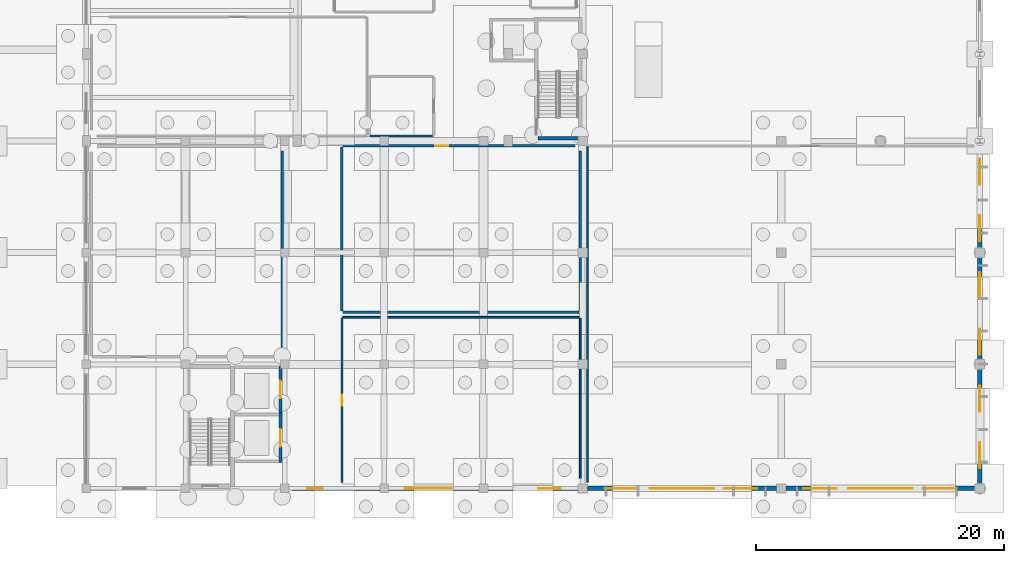
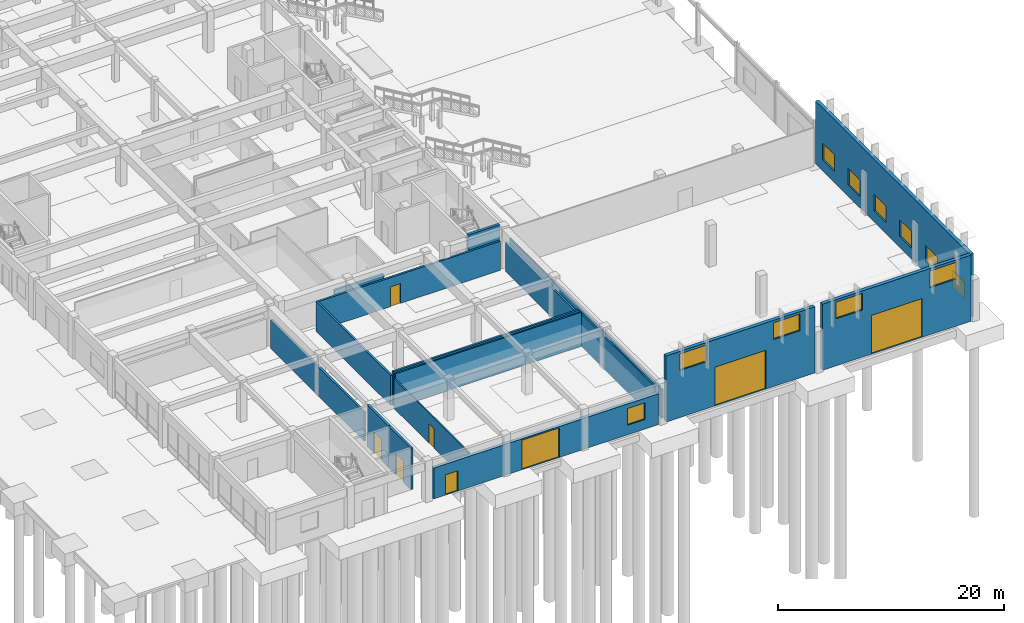
# One storey, part 60 of 84: 17 walls, 11 windows, 8 doors, 19 openings.
"""IFC4 building model written with IfcOpenShell, lengths in metres."""

from ifc_helpers import new_model, si_unit, direction, frame, frame_2d, origin, place, context, subcontext, project, spatial, rectangle, extrude, material, layer, layer_set, type_object, element, fill, save


model = new_model("IFC4")

# Units and contexts
model_context = context("Model", 3, precision=1e-05, world=origin(), true_north=direction((0.0, 1.0)))
body_context = subcontext(model_context, "Body", "Model", "MODEL_VIEW")
ifc_project = project(units=[si_unit("LENGTHUNIT", "METRE"), si_unit("AREAUNIT", "SQUARE_METRE"), si_unit("VOLUMEUNIT", "CUBIC_METRE"), si_unit("PLANEANGLEUNIT", "RADIAN"), si_unit("MASSUNIT", "GRAM", prefix="KILO")], contexts=[model_context])

# Site, building, storey
site_placement = place(None, origin())
site = spatial("IfcSite", under=ifc_project, at=site_placement, CompositionType="ELEMENT")
building_placement = place(site_placement, origin())
building = spatial("IfcBuilding", under=site, at=building_placement, Name="Larkveld Mobility Hub", CompositionType="ELEMENT")
storey_placement = place(building_placement, origin())
storey = spatial("IfcBuildingStorey", under=building, at=storey_placement, Name="L00", CompositionType="ELEMENT", Elevation=0.0)

# Wall
ifc_material_1 = material(Name="Concrete C40/50", Category="concrete")
ifc_layer_1 = layer(ifc_material_1, 0.280029296875, Name="Concrete C40/50", Category="concrete")
ifc_layer_set_1 = layer_set([ifc_layer_1], Name="Concrete C40/50")
wall_type_1 = type_object("IfcWallType", Name="WL-CORE-280", PredefinedType="SHEAR", material=ifc_layer_set_1)
wall_1_placement = place(storey_placement, frame((151.64990234375, 28.2099609375, 0.0), z_axis=(0.0, 0.0, 1.0), x_axis=(-1.0, 0.0, 0.0)))
element("IfcWall", 1, at=wall_1_placement, inside=storey, type_object=wall_type_1, Name="Core C1 Stair Shear Wall L00-S", PredefinedType="SHEAR", context=body_context, shape_type="SweptSolid", body=[
    extrude(rectangle(XDim=3.25, YDim=0.280029296875, at=frame_2d((1.625, 0.0))), origin(), (0.0, 0.0, 1.0), 4.5),
])

# Wall, openings, doors, window
ifc_layer_2 = layer(ifc_material_1, 0.330078125, Name="Concrete C40/50", Category="concrete")
ifc_layer_set_2 = layer_set([ifc_layer_2], Name="Concrete C40/50")
wall_type_2 = type_object("IfcWallType", Name="WL-EXT-330", PredefinedType="SOLIDWALL", material=ifc_layer_set_2)
wall_2_placement = place(storey_placement, frame((128.590087890625, 0.0, 0.0), z_axis=(0.0, 0.0, 1.0), x_axis=(1.0, 0.0, 0.0)))
wall_2 = element("IfcWall", 2, at=wall_2_placement, inside=storey, type_object=wall_type_2, Name="Service Centre South Harbourway Wall L00-0204", PredefinedType="SOLIDWALL", context=body_context, shape_type="SweptSolid", body=[
    extrude(rectangle(XDim=23.02490234375, YDim=0.330078125, at=frame_2d((11.512451171875, 0.0))), origin(), (0.0, 0.0, 1.0), 3.344970703125),
])
opening_1_placement = place(wall_2_placement, frame((1.217041015625, 0.0, 0.0)))
opening_1 = element("IfcOpeningElement", 3, at=opening_1_placement, cuts=wall_2, Name="Opening ED08", PredefinedType="OPENING", context=body_context, shape_type="SweptSolid", body=[
    extrude(rectangle(XDim=1.25, YDim=2.199951171875, at=frame_2d((0.625, 1.10009765625))), frame((0.0, 0.175048828125, 0.0), z_axis=(0.0, -1.0, 0.0), x_axis=(1.0, 0.0, 0.0)), (0.0, 0.0, 1.0), 0.35009765625),
])
opening_2_placement = place(wall_2_placement, frame((9.054931640625, 0.0, 0.0)))
opening_2 = element("IfcOpeningElement", 4, at=opening_2_placement, cuts=wall_2, Name="Opening VG01", PredefinedType="OPENING", context=body_context, shape_type="SweptSolid", body=[
    extrude(rectangle(XDim=3.800048828125, YDim=3.199951171875, at=frame_2d((1.89990234375, 1.60009765625))), frame((0.0, 0.175048828125, 0.0), z_axis=(0.0, -1.0, 0.0), x_axis=(1.0, 0.0, 0.0)), (0.0, 0.0, 1.0), 0.35009765625),
])
opening_3_placement = place(wall_2_placement, frame((19.822998046875, 0.0, 1.050048828125)))
opening_3 = element("IfcOpeningElement", 5, at=opening_3_placement, cuts=wall_2, Name="Opening W12", PredefinedType="OPENING", context=body_context, shape_type="SweptSolid", body=[
    extrude(rectangle(XDim=1.800048828125, YDim=1.800048828125, at=frame_2d((0.89990234375, 0.89990234375))), frame((0.0, 0.175048828125, 0.0), z_axis=(0.0, -1.0, 0.0), x_axis=(1.0, 0.0, 0.0)), (0.0, 0.0, 1.0), 0.35009765625),
])
ifc_material_2 = material(Name="Galvanised steel final exit door", Category="steel")
door_type_1 = type_object("IfcDoorType", Name="DR-EXT-ESC12", OperationType="NOTDEFINED", PredefinedType="DOOR", material=ifc_material_2)
door_1_placement = place(opening_1_placement, origin())
door_1 = element("IfcDoor", 6, at=door_1_placement, inside=storey, type_object=door_type_1, Name="Workshop Goods Lobby Exit Door EDR-L00-019", OperationType="SINGLE_SWING_LEFT", OverallHeight=2.199951171875, OverallWidth=1.25, PredefinedType="DOOR", context=body_context, shape_type="SweptSolid", body=[
    extrude(rectangle(XDim=1.25, YDim=2.199951171875, at=frame_2d((0.625, 1.10009765625))), frame((0.0, 0.02490234375, 0.0), z_axis=(0.0, -1.0, 0.0), x_axis=(1.0, 0.0, 0.0)), (0.0, 0.0, 1.0), 0.050048828125),
])
fill(opening_1, door_1)
ifc_material_3 = material(Name="Perforated galvanised steel roller shutter gate", Category="steel")
door_type_2 = type_object("IfcDoorType", Name="DR-GATE-VG38", OperationType="ROLLINGUP", PredefinedType="GATE", material=ifc_material_3)
door_2_placement = place(opening_2_placement, origin())
door_2 = element("IfcDoor", 7, at=door_2_placement, inside=storey, type_object=door_type_2, Name="Bus Wash Entry Roller Gate VG-02 EDR-L00-020", OperationType="ROLLINGUP", OverallHeight=3.199951171875, OverallWidth=3.800048828125, PredefinedType="GATE", context=body_context, shape_type="SweptSolid", body=[
    extrude(rectangle(XDim=3.800048828125, YDim=3.199951171875, at=frame_2d((1.89990234375, 1.60009765625))), frame((0.0, 0.02490234375, 0.0), z_axis=(0.0, -1.0, 0.0), x_axis=(1.0, 0.0, 0.0)), (0.0, 0.0, 1.0), 0.050048828125),
])
fill(opening_2, door_2)
ifc_material_4 = material(Name="Low-E double glazing in aluminium frame", Category="aluminium")
window_type_1 = type_object("IfcWindowType", Name="WN-ALU-12", PartitioningType="SINGLE_PANEL", PredefinedType="WINDOW", material=ifc_material_4)
window_1_placement = place(opening_3_placement, origin())
window_1 = element("IfcWindow", 8, at=window_1_placement, inside=storey, type_object=window_type_1, Name="Window W12 (0989)", OverallHeight=1.800048828125, OverallWidth=1.800048828125, PartitioningType="SINGLE_PANEL", PredefinedType="WINDOW", context=body_context, shape_type="SweptSolid", body=[
    extrude(rectangle(XDim=1.800048828125, YDim=1.800048828125, at=frame_2d((0.89990234375, 0.89990234375))), frame((0.0, 0.030029296875, 0.0), z_axis=(0.0, -1.0, 0.0), x_axis=(1.0, 0.0, 0.0)), (0.0, 0.0, 1.0), 0.06005859375),
])
fill(opening_3, window_1)

# Wall, openings, door, windows
ifc_layer_3 = layer(ifc_material_1, 0.35498046875, Name="Concrete C40/50", Category="concrete")
ifc_layer_set_3 = layer_set([ifc_layer_3], Name="Concrete C40/50")
wall_type_3 = type_object("IfcWallType", Name="WL-EXT-355", PredefinedType="SOLIDWALL", material=ifc_layer_set_3)
wall_3_placement = place(storey_placement, frame((152.385009765625, 0.0, 0.0), z_axis=(0.0, 0.0, 1.0), x_axis=(1.0, 0.0, 0.0)))
wall_3 = element("IfcWall", 9, at=wall_3_placement, inside=storey, type_object=wall_type_3, Name="High-Bay Fleet Workshop South Wall L00-0205", PredefinedType="SOLIDWALL", context=body_context, shape_type="SweptSolid", body=[
    extrude(rectangle(XDim=15.22998046875, YDim=0.35498046875, at=frame_2d((7.614990234375, 0.0))), origin(), (0.0, 0.0, 1.0), 7.1650390625),
])
opening_4_placement = place(wall_3_placement, frame((5.014892578125, 0.0, 0.0)))
opening_4 = element("IfcOpeningElement", 10, at=opening_4_placement, cuts=wall_3, Name="Opening VG03", PredefinedType="OPENING", context=body_context, shape_type="SweptSolid", body=[
    extrude(rectangle(XDim=5.199951171875, YDim=4.199951171875, at=frame_2d((2.60009765625, 2.10009765625))), frame((0.0, 0.1875, 0.0), z_axis=(0.0, -1.0, 0.0), x_axis=(1.0, 0.0, 0.0)), (0.0, 0.0, 1.0), 0.375),
])
opening_5_placement = place(wall_3_placement, frame((1.39990234375, 0.0, 5.10009765625)))
opening_5 = element("IfcOpeningElement", 11, at=opening_5_placement, cuts=wall_3, Name="Opening W15", PredefinedType="OPENING", context=body_context, shape_type="SweptSolid", body=[
    extrude(rectangle(XDim=2.699951171875, YDim=1.800048828125, at=frame_2d((1.35009765625, 0.89990234375))), frame((0.0, 0.1875, 0.0), z_axis=(0.0, -1.0, 0.0), x_axis=(1.0, 0.0, 0.0)), (0.0, 0.0, 1.0), 0.375),
])
opening_6_placement = place(wall_3_placement, frame((11.0, 0.0, 5.10009765625)))
opening_6 = element("IfcOpeningElement", 12, at=opening_6_placement, cuts=wall_3, Name="Opening W15", PredefinedType="OPENING", context=body_context, shape_type="SweptSolid", body=[
    extrude(rectangle(XDim=2.699951171875, YDim=1.800048828125, at=frame_2d((1.35009765625, 0.89990234375))), frame((0.0, 0.1875, 0.0), z_axis=(0.0, -1.0, 0.0), x_axis=(1.0, 0.0, 0.0)), (0.0, 0.0, 1.0), 0.375),
])
ifc_material_5 = material(Name="High-bay bus maintenance roller shutter gate", Category="steel")
door_type_3 = type_object("IfcDoorType", Name="DR-GATE-VG52", OperationType="ROLLINGUP", PredefinedType="GATE", material=ifc_material_5)
door_3_placement = place(opening_4_placement, origin())
door_3 = element("IfcDoor", 13, at=door_3_placement, inside=storey, type_object=door_type_3, Name="Fleet Workshop Maintenance Bay Gate EDR-L00-021", OperationType="ROLLINGUP", OverallHeight=4.199951171875, OverallWidth=5.199951171875, PredefinedType="GATE", context=body_context, shape_type="SweptSolid", body=[
    extrude(rectangle(XDim=5.199951171875, YDim=4.199951171875, at=frame_2d((2.60009765625, 2.10009765625))), frame((0.0, 0.02490234375, 0.0), z_axis=(0.0, -1.0, 0.0), x_axis=(1.0, 0.0, 0.0)), (0.0, 0.0, 1.0), 0.050048828125),
])
fill(opening_4, door_3)
window_type_2 = type_object("IfcWindowType", Name="WN-ALU-15", PartitioningType="SINGLE_PANEL", PredefinedType="WINDOW", material=ifc_material_4)
window_2_placement = place(opening_5_placement, origin())
window_2 = element("IfcWindow", 14, at=window_2_placement, inside=storey, type_object=window_type_2, Name="Window W15 (0990)", OverallHeight=1.800048828125, OverallWidth=2.699951171875, PartitioningType="SINGLE_PANEL", PredefinedType="WINDOW", context=body_context, shape_type="SweptSolid", body=[
    extrude(rectangle(XDim=2.699951171875, YDim=1.800048828125, at=frame_2d((1.35009765625, 0.89990234375))), frame((0.0, 0.030029296875, 0.0), z_axis=(0.0, -1.0, 0.0), x_axis=(1.0, 0.0, 0.0)), (0.0, 0.0, 1.0), 0.06005859375),
])
fill(opening_5, window_2)
window_3_placement = place(opening_6_placement, origin())
window_3 = element("IfcWindow", 15, at=window_3_placement, inside=storey, type_object=window_type_2, Name="Window W15 (0991)", OverallHeight=1.800048828125, OverallWidth=2.699951171875, PartitioningType="SINGLE_PANEL", PredefinedType="WINDOW", context=body_context, shape_type="SweptSolid", body=[
    extrude(rectangle(XDim=2.699951171875, YDim=1.800048828125, at=frame_2d((1.35009765625, 0.89990234375))), frame((0.0, 0.030029296875, 0.0), z_axis=(0.0, -1.0, 0.0), x_axis=(1.0, 0.0, 0.0)), (0.0, 0.0, 1.0), 0.06005859375),
])
fill(opening_6, window_3)

wall_4_placement = place(storey_placement, frame((168.385009765625, 0.0, 0.0), z_axis=(0.0, 0.0, 1.0), x_axis=(1.0, 0.0, 0.0)))
wall_4 = element("IfcWall", 16, at=wall_4_placement, inside=storey, type_object=wall_type_3, Name="High-Bay Fleet Workshop South Wall L00-0206", PredefinedType="SOLIDWALL", context=body_context, shape_type="SweptSolid", body=[
    extrude(rectangle(XDim=15.22998046875, YDim=0.35498046875, at=frame_2d((7.614990234375, 0.0))), origin(), (0.0, 0.0, 1.0), 7.1650390625),
])
opening_7_placement = place(wall_4_placement, frame((5.014892578125, 0.0, 0.0)))
opening_7 = element("IfcOpeningElement", 17, at=opening_7_placement, cuts=wall_4, Name="Opening VG03", PredefinedType="OPENING", context=body_context, shape_type="SweptSolid", body=[
    extrude(rectangle(XDim=5.199951171875, YDim=4.199951171875, at=frame_2d((2.60009765625, 2.10009765625))), frame((0.0, 0.1875, 0.0), z_axis=(0.0, -1.0, 0.0), x_axis=(1.0, 0.0, 0.0)), (0.0, 0.0, 1.0), 0.375),
])
opening_8_placement = place(wall_4_placement, frame((1.39990234375, 0.0, 5.10009765625)))
opening_8 = element("IfcOpeningElement", 18, at=opening_8_placement, cuts=wall_4, Name="Opening W15", PredefinedType="OPENING", context=body_context, shape_type="SweptSolid", body=[
    extrude(rectangle(XDim=2.699951171875, YDim=1.800048828125, at=frame_2d((1.35009765625, 0.89990234375))), frame((0.0, 0.1875, 0.0), z_axis=(0.0, -1.0, 0.0), x_axis=(1.0, 0.0, 0.0)), (0.0, 0.0, 1.0), 0.375),
])
opening_9_placement = place(wall_4_placement, frame((11.0, 0.0, 5.10009765625)))
opening_9 = element("IfcOpeningElement", 19, at=opening_9_placement, cuts=wall_4, Name="Opening W15", PredefinedType="OPENING", context=body_context, shape_type="SweptSolid", body=[
    extrude(rectangle(XDim=2.699951171875, YDim=1.800048828125, at=frame_2d((1.35009765625, 0.89990234375))), frame((0.0, 0.1875, 0.0), z_axis=(0.0, -1.0, 0.0), x_axis=(1.0, 0.0, 0.0)), (0.0, 0.0, 1.0), 0.375),
])
door_4_placement = place(opening_7_placement, origin())
door_4 = element("IfcDoor", 20, at=door_4_placement, inside=storey, type_object=door_type_3, Name="Fleet Workshop Maintenance Bay Gate EDR-L00-022", OperationType="ROLLINGUP", OverallHeight=4.199951171875, OverallWidth=5.199951171875, PredefinedType="GATE", context=body_context, shape_type="SweptSolid", body=[
    extrude(rectangle(XDim=5.199951171875, YDim=4.199951171875, at=frame_2d((2.60009765625, 2.10009765625))), frame((0.0, 0.02490234375, 0.0), z_axis=(0.0, -1.0, 0.0), x_axis=(1.0, 0.0, 0.0)), (0.0, 0.0, 1.0), 0.050048828125),
])
fill(opening_7, door_4)
window_4_placement = place(opening_8_placement, origin())
window_4 = element("IfcWindow", 21, at=window_4_placement, inside=storey, type_object=window_type_2, Name="Window W15 (0992)", OverallHeight=1.800048828125, OverallWidth=2.699951171875, PartitioningType="SINGLE_PANEL", PredefinedType="WINDOW", context=body_context, shape_type="SweptSolid", body=[
    extrude(rectangle(XDim=2.699951171875, YDim=1.800048828125, at=frame_2d((1.35009765625, 0.89990234375))), frame((0.0, 0.030029296875, 0.0), z_axis=(0.0, -1.0, 0.0), x_axis=(1.0, 0.0, 0.0)), (0.0, 0.0, 1.0), 0.06005859375),
])
fill(opening_8, window_4)
window_5_placement = place(opening_9_placement, origin())
window_5 = element("IfcWindow", 22, at=window_5_placement, inside=storey, type_object=window_type_2, Name="Window W15 (0993)", OverallHeight=1.800048828125, OverallWidth=2.699951171875, PartitioningType="SINGLE_PANEL", PredefinedType="WINDOW", context=body_context, shape_type="SweptSolid", body=[
    extrude(rectangle(XDim=2.699951171875, YDim=1.800048828125, at=frame_2d((1.35009765625, 0.89990234375))), frame((0.0, 0.030029296875, 0.0), z_axis=(0.0, -1.0, 0.0), x_axis=(1.0, 0.0, 0.0)), (0.0, 0.0, 1.0), 0.06005859375),
])
fill(opening_9, window_5)

# Wall, openings, windows
wall_5_placement = place(storey_placement, frame((184.0, 0.385009765625, 0.0), z_axis=(0.0, 0.0, 1.0), x_axis=(0.0, 1.0, 0.0)))
wall_5 = element("IfcWall", 23, at=wall_5_placement, inside=storey, type_object=wall_type_3, Name="High-Bay Fleet Workshop East Wall L00-0207", PredefinedType="SOLIDWALL", context=body_context, shape_type="SweptSolid", body=[
    extrude(rectangle(XDim=27.4189453125, YDim=0.35498046875, at=frame_2d((13.70947265625, 0.0))), origin(), (0.0, 0.0, 1.0), 6.794921875),
])
opening_10_placement = place(wall_5_placement, frame((1.235107421875, 0.0, 1.199951171875)))
opening_10 = element("IfcOpeningElement", 24, at=opening_10_placement, cuts=wall_5, Name="Opening W13", PredefinedType="OPENING", context=body_context, shape_type="SweptSolid", body=[
    extrude(rectangle(XDim=2.10009765625, YDim=1.800048828125, at=frame_2d((1.050048828125, 0.89990234375))), frame((0.0, 0.1875, 0.0), z_axis=(0.0, -1.0, 0.0), x_axis=(1.0, 0.0, 0.0)), (0.0, 0.0, 1.0), 0.375),
])
opening_11_placement = place(wall_5_placement, frame((5.804931640625, 0.0, 1.199951171875)))
opening_11 = element("IfcOpeningElement", 25, at=opening_11_placement, cuts=wall_5, Name="Opening W13", PredefinedType="OPENING", context=body_context, shape_type="SweptSolid", body=[
    extrude(rectangle(XDim=2.10009765625, YDim=1.800048828125, at=frame_2d((1.050048828125, 0.89990234375))), frame((0.0, 0.1875, 0.0), z_axis=(0.0, -1.0, 0.0), x_axis=(1.0, 0.0, 0.0)), (0.0, 0.0, 1.0), 0.375),
])
opening_12_placement = place(wall_5_placement, frame((10.375, 0.0, 1.199951171875)))
opening_12 = element("IfcOpeningElement", 26, at=opening_12_placement, cuts=wall_5, Name="Opening W13", PredefinedType="OPENING", context=body_context, shape_type="SweptSolid", body=[
    extrude(rectangle(XDim=2.10009765625, YDim=1.800048828125, at=frame_2d((1.050048828125, 0.89990234375))), frame((0.0, 0.1875, 0.0), z_axis=(0.0, -1.0, 0.0), x_axis=(1.0, 0.0, 0.0)), (0.0, 0.0, 1.0), 0.375),
])
opening_13_placement = place(wall_5_placement, frame((14.944091796875, 0.0, 1.199951171875)))
opening_13 = element("IfcOpeningElement", 27, at=opening_13_placement, cuts=wall_5, Name="Opening W13", PredefinedType="OPENING", context=body_context, shape_type="SweptSolid", body=[
    extrude(rectangle(XDim=2.10009765625, YDim=1.800048828125, at=frame_2d((1.050048828125, 0.89990234375))), frame((0.0, 0.1875, 0.0), z_axis=(0.0, -1.0, 0.0), x_axis=(1.0, 0.0, 0.0)), (0.0, 0.0, 1.0), 0.375),
])
opening_14_placement = place(wall_5_placement, frame((19.513916015625, 0.0, 1.199951171875)))
opening_14 = element("IfcOpeningElement", 28, at=opening_14_placement, cuts=wall_5, Name="Opening W13", PredefinedType="OPENING", context=body_context, shape_type="SweptSolid", body=[
    extrude(rectangle(XDim=2.10009765625, YDim=1.800048828125, at=frame_2d((1.050048828125, 0.89990234375))), frame((0.0, 0.1875, 0.0), z_axis=(0.0, -1.0, 0.0), x_axis=(1.0, 0.0, 0.0)), (0.0, 0.0, 1.0), 0.375),
])
opening_15_placement = place(wall_5_placement, frame((24.083984375, 0.0, 1.199951171875)))
opening_15 = element("IfcOpeningElement", 29, at=opening_15_placement, cuts=wall_5, Name="Opening W13", PredefinedType="OPENING", context=body_context, shape_type="SweptSolid", body=[
    extrude(rectangle(XDim=2.10009765625, YDim=1.800048828125, at=frame_2d((1.050048828125, 0.89990234375))), frame((0.0, 0.1875, 0.0), z_axis=(0.0, -1.0, 0.0), x_axis=(1.0, 0.0, 0.0)), (0.0, 0.0, 1.0), 0.375),
])
window_type_3 = type_object("IfcWindowType", Name="WN-ALU-13", PartitioningType="SINGLE_PANEL", PredefinedType="WINDOW", material=ifc_material_4)
window_6_placement = place(opening_10_placement, origin())
window_6 = element("IfcWindow", 30, at=window_6_placement, inside=storey, type_object=window_type_3, Name="Window W13 (0994)", OverallHeight=1.800048828125, OverallWidth=2.10009765625, PartitioningType="SINGLE_PANEL", PredefinedType="WINDOW", context=body_context, shape_type="SweptSolid", body=[
    extrude(rectangle(XDim=2.10009765625, YDim=1.800048828125, at=frame_2d((1.050048828125, 0.89990234375))), frame((0.0, 0.030029296875, 0.0), z_axis=(0.0, -1.0, 0.0), x_axis=(1.0, 0.0, 0.0)), (0.0, 0.0, 1.0), 0.06005859375),
])
fill(opening_10, window_6)
window_7_placement = place(opening_11_placement, origin())
window_7 = element("IfcWindow", 31, at=window_7_placement, inside=storey, type_object=window_type_3, Name="Window W13 (0995)", OverallHeight=1.800048828125, OverallWidth=2.10009765625, PartitioningType="SINGLE_PANEL", PredefinedType="WINDOW", context=body_context, shape_type="SweptSolid", body=[
    extrude(rectangle(XDim=2.10009765625, YDim=1.800048828125, at=frame_2d((1.050048828125, 0.89990234375))), frame((0.0, 0.030029296875, 0.0), z_axis=(0.0, -1.0, 0.0), x_axis=(1.0, 0.0, 0.0)), (0.0, 0.0, 1.0), 0.06005859375),
])
fill(opening_11, window_7)
window_8_placement = place(opening_12_placement, origin())
window_8 = element("IfcWindow", 32, at=window_8_placement, inside=storey, type_object=window_type_3, Name="Window W13 (0996)", OverallHeight=1.800048828125, OverallWidth=2.10009765625, PartitioningType="SINGLE_PANEL", PredefinedType="WINDOW", context=body_context, shape_type="SweptSolid", body=[
    extrude(rectangle(XDim=2.10009765625, YDim=1.800048828125, at=frame_2d((1.050048828125, 0.89990234375))), frame((0.0, 0.030029296875, 0.0), z_axis=(0.0, -1.0, 0.0), x_axis=(1.0, 0.0, 0.0)), (0.0, 0.0, 1.0), 0.06005859375),
])
fill(opening_12, window_8)
window_9_placement = place(opening_13_placement, origin())
window_9 = element("IfcWindow", 33, at=window_9_placement, inside=storey, type_object=window_type_3, Name="Window W13 (0997)", OverallHeight=1.800048828125, OverallWidth=2.10009765625, PartitioningType="SINGLE_PANEL", PredefinedType="WINDOW", context=body_context, shape_type="SweptSolid", body=[
    extrude(rectangle(XDim=2.10009765625, YDim=1.800048828125, at=frame_2d((1.050048828125, 0.89990234375))), frame((0.0, 0.030029296875, 0.0), z_axis=(0.0, -1.0, 0.0), x_axis=(1.0, 0.0, 0.0)), (0.0, 0.0, 1.0), 0.06005859375),
])
fill(opening_13, window_9)
window_10_placement = place(opening_14_placement, origin())
window_10 = element("IfcWindow", 34, at=window_10_placement, inside=storey, type_object=window_type_3, Name="Window W13 (0998)", OverallHeight=1.800048828125, OverallWidth=2.10009765625, PartitioningType="SINGLE_PANEL", PredefinedType="WINDOW", context=body_context, shape_type="SweptSolid", body=[
    extrude(rectangle(XDim=2.10009765625, YDim=1.800048828125, at=frame_2d((1.050048828125, 0.89990234375))), frame((0.0, 0.030029296875, 0.0), z_axis=(0.0, -1.0, 0.0), x_axis=(1.0, 0.0, 0.0)), (0.0, 0.0, 1.0), 0.06005859375),
])
fill(opening_14, window_10)
window_11_placement = place(opening_15_placement, origin())
window_11 = element("IfcWindow", 35, at=window_11_placement, inside=storey, type_object=window_type_3, Name="Window W13 (0999)", OverallHeight=1.800048828125, OverallWidth=2.10009765625, PartitioningType="SINGLE_PANEL", PredefinedType="WINDOW", context=body_context, shape_type="SweptSolid", body=[
    extrude(rectangle(XDim=2.10009765625, YDim=1.800048828125, at=frame_2d((1.050048828125, 0.89990234375))), frame((0.0, 0.030029296875, 0.0), z_axis=(0.0, -1.0, 0.0), x_axis=(1.0, 0.0, 0.0)), (0.0, 0.0, 1.0), 0.06005859375),
])
fill(opening_15, window_11)

# Walls
ifc_material_6 = material(Name="Concrete blockwork masonry 14 MPa", Category="masonry")
ifc_layer_4 = layer(ifc_material_6, 0.1298828125, Name="Concrete blockwork masonry 14 MPa", Category="masonry")
ifc_layer_set_4 = layer_set([ifc_layer_4], Name="Concrete blockwork masonry 14 MPa")
wall_type_4 = type_object("IfcWallType", Name="WL-PRT-130", PredefinedType="PARTITIONING", material=ifc_layer_set_4)
wall_6_placement = place(storey_placement, frame((152.39990234375, 0.47998046875, 0.0), z_axis=(0.0, 0.0, 1.0), x_axis=(0.0, 1.0, 0.0)))
element("IfcWall", 36, at=wall_6_placement, inside=storey, type_object=wall_type_4, Name="High-Bay Bus and Taxi Fleet Maintenance Workshop Partition 0048", PredefinedType="PARTITIONING", context=body_context, shape_type="SweptSolid", body=[
    extrude(rectangle(XDim=27.034912109375, YDim=0.1298828125, at=frame_2d((13.517578125, 0.0))), origin(), (0.0, 0.0, 1.0), 3.14501953125),
])
ifc_layer_5 = layer(ifc_material_6, 0.139892578125, Name="Concrete blockwork masonry 14 MPa", Category="masonry")
ifc_layer_set_5 = layer_set([ifc_layer_5], Name="Concrete blockwork masonry 14 MPa")
wall_type_5 = type_object("IfcWallType", Name="WL-PRT-140", PredefinedType="PARTITIONING", material=ifc_layer_set_5)
wall_7_placement = place(storey_placement, frame((132.679931640625, 13.797119140625, 0.0), z_axis=(0.0, 0.0, 1.0), x_axis=(1.0, 0.0, 0.0)))
element("IfcWall", 37, at=wall_7_placement, inside=storey, type_object=wall_type_5, Name="Automated Bus Wash and Inspection Bay Partition 0049", PredefinedType="PARTITIONING", context=body_context, shape_type="SweptSolid", body=[
    extrude(rectangle(XDim=19.037109375, YDim=0.139892578125, at=frame_2d((9.5185546875, 0.0))), origin(), (0.0, 0.0, 1.0), 3.695068359375),
])

# Wall, opening, door
wall_8_placement = place(storey_placement, frame((132.60009765625, 0.47998046875, 0.0), z_axis=(0.0, 0.0, 1.0), x_axis=(0.0, 1.0, 0.0)))
wall_8 = element("IfcWall", 38, at=wall_8_placement, inside=storey, type_object=wall_type_5, Name="Automated Bus Wash and Inspection Bay Partition 0050", PredefinedType="PARTITIONING", context=body_context, shape_type="SweptSolid", body=[
    extrude(rectangle(XDim=13.237060546875, YDim=0.139892578125, at=frame_2d((6.61865234375, 0.0))), origin(), (0.0, 0.0, 1.0), 3.2451171875),
])
opening_16_placement = place(wall_8_placement, frame((6.16796875, 0.0, 0.0)))
opening_16 = element("IfcOpeningElement", 39, at=opening_16_placement, cuts=wall_8, Name="Opening DI01", PredefinedType="OPENING", context=body_context, shape_type="SweptSolid", body=[
    extrude(rectangle(XDim=0.89990234375, YDim=2.10009765625, at=frame_2d((0.449951171875, 1.050048828125))), frame((0.0, 0.080078125, 0.0), z_axis=(0.0, -1.0, 0.0), x_axis=(1.0, 0.0, 0.0)), (0.0, 0.0, 1.0), 0.159912109375),
])
ifc_material_7 = material(Name="Solid-core hardwood timber door in aluminium frame", Category="wood")
door_type_4 = type_object("IfcDoorType", Name="DR-INT-090", OperationType="NOTDEFINED", PredefinedType="DOOR", material=ifc_material_7)
door_5_placement = place(opening_16_placement, origin())
door_5 = element("IfcDoor", 40, at=door_5_placement, inside=storey, type_object=door_type_4, Name="Automated Bus Wash and Inspection Bay Door 0013", OperationType="SINGLE_SWING_RIGHT", OverallHeight=2.10009765625, OverallWidth=0.89990234375, PredefinedType="DOOR", context=body_context, shape_type="SweptSolid", body=[
    extrude(rectangle(XDim=0.89990234375, YDim=2.10009765625, at=frame_2d((0.449951171875, 1.050048828125))), frame((0.0, 0.02490234375, 0.0), z_axis=(0.0, -1.0, 0.0), x_axis=(1.0, 0.0, 0.0)), (0.0, 0.0, 1.0), 0.050048828125),
])
fill(opening_16, door_5)

# Walls
wall_9_placement = place(storey_placement, frame((151.797119140625, 0.81494140625, 0.0), z_axis=(0.0, 0.0, 1.0), x_axis=(0.0, 1.0, 0.0)))
element("IfcWall", 41, at=wall_9_placement, inside=storey, type_object=wall_type_5, Name="Automated Bus Wash and Inspection Bay Partition 0051", PredefinedType="PARTITIONING", context=body_context, shape_type="SweptSolid", body=[
    extrude(rectangle(XDim=12.902099609375, YDim=0.139892578125, at=frame_2d((6.451171875, 0.0))), origin(), (0.0, 0.0, 1.0), 3.4951171875),
])
ifc_layer_6 = layer(ifc_material_6, 0.195068359375, Name="Concrete blockwork masonry 14 MPa", Category="masonry")
ifc_layer_set_6 = layer_set([ifc_layer_6], Name="Concrete blockwork masonry 14 MPa")
wall_type_6 = type_object("IfcWallType", Name="WL-PRT-195", PredefinedType="PARTITIONING", material=ifc_layer_set_6)
wall_10_placement = place(storey_placement, frame((134.8798828125, 28.39990234375, 0.0), z_axis=(0.0, 0.0, 1.0), x_axis=(1.0, 0.0, 0.0)))
element("IfcWall", 42, at=wall_10_placement, inside=storey, type_object=wall_type_6, Name="Fire Command Centre Partition 0016", PredefinedType="PARTITIONING", context=body_context, shape_type="SweptSolid", body=[
    extrude(rectangle(XDim=5.0341796875, YDim=0.195068359375, at=frame_2d((2.51708984375, 0.0))), origin(), (0.0, 0.0, 1.0), 3.14501953125),
])
wall_11_placement = place(storey_placement, frame((132.679931640625, 14.199951171875, 0.0), z_axis=(0.0, 0.0, 1.0), x_axis=(1.0, 0.0, 0.0)))
element("IfcWall", 43, at=wall_11_placement, inside=storey, type_object=wall_type_6, Name="Fire Sprinkler Pump and Tank Plant Room Partition 0056", PredefinedType="PARTITIONING", context=body_context, shape_type="SweptSolid", body=[
    extrude(rectangle(XDim=19.037109375, YDim=0.195068359375, at=frame_2d((9.5185546875, 0.0))), origin(), (0.0, 0.0, 1.0), 3.695068359375),
])

# Wall, opening, door
wall_12_placement = place(storey_placement, frame((132.679931640625, 27.596923828125, 0.0), z_axis=(0.0, 0.0, 1.0), x_axis=(1.0, 0.0, 0.0)))
wall_12 = element("IfcWall", 44, at=wall_12_placement, inside=storey, type_object=wall_type_6, Name="Fire Sprinkler Pump and Tank Plant Room Partition 0057", PredefinedType="PARTITIONING", context=body_context, shape_type="SweptSolid", body=[
    extrude(rectangle(XDim=18.7021484375, YDim=0.195068359375, at=frame_2d((9.35107421875, 0.0))), origin(), (0.0, 0.0, 1.0), 3.14501953125),
])
opening_17_placement = place(wall_12_placement, frame((7.43798828125, 0.0, 0.0)))
opening_17 = element("IfcOpeningElement", 45, at=opening_17_placement, cuts=wall_12, Name="Opening DF02", PredefinedType="OPENING", context=body_context, shape_type="SweptSolid", body=[
    extrude(rectangle(XDim=1.050048828125, YDim=2.14990234375, at=frame_2d((0.52490234375, 1.074951171875))), frame((0.0, 0.107421875, 0.0), z_axis=(0.0, -1.0, 0.0), x_axis=(1.0, 0.0, 0.0)), (0.0, 0.0, 1.0), 0.215087890625),
])
ifc_material_8 = material(Name="Pressed Steel S355JR fire door assembly", Category="steel")
door_type_5 = type_object("IfcDoorType", Name="DR-FD60", OperationType="NOTDEFINED", PredefinedType="DOOR", material=ifc_material_8)
door_6_placement = place(opening_17_placement, origin())
door_6 = element("IfcDoor", 46, at=door_6_placement, inside=storey, type_object=door_type_5, Name="Fire Sprinkler Pump and Tank Plant Room Door 0015", OperationType="SINGLE_SWING_RIGHT", OverallHeight=2.14990234375, OverallWidth=1.050048828125, PredefinedType="DOOR", context=body_context, shape_type="SweptSolid", body=[
    extrude(rectangle(XDim=1.050048828125, YDim=2.14990234375, at=frame_2d((0.52490234375, 1.074951171875))), frame((0.0, 0.02490234375, 0.0), z_axis=(0.0, -1.0, 0.0), x_axis=(1.0, 0.0, 0.0)), (0.0, 0.0, 1.0), 0.050048828125),
])
fill(opening_17, door_6)

# Walls
wall_13_placement = place(storey_placement, frame((132.60009765625, 14.280029296875, 0.0), z_axis=(0.0, 0.0, 1.0), x_axis=(0.0, 1.0, 0.0)))
element("IfcWall", 47, at=wall_13_placement, inside=storey, type_object=wall_type_6, Name="Fire Sprinkler Pump and Tank Plant Room Partition 0058", PredefinedType="PARTITIONING", context=body_context, shape_type="SweptSolid", body=[
    extrude(rectangle(XDim=13.237060546875, YDim=0.195068359375, at=frame_2d((6.61865234375, 0.0))), origin(), (0.0, 0.0, 1.0), 3.2451171875),
])
wall_14_placement = place(storey_placement, frame((151.797119140625, 14.280029296875, 0.0), z_axis=(0.0, 0.0, 1.0), x_axis=(0.0, 1.0, 0.0)))
element("IfcWall", 48, at=wall_14_placement, inside=storey, type_object=wall_type_6, Name="Fire Sprinkler Pump and Tank Plant Room Partition 0059", PredefinedType="PARTITIONING", context=body_context, shape_type="SweptSolid", body=[
    extrude(rectangle(XDim=12.90185546875, YDim=0.195068359375, at=frame_2d((6.450927734375, 0.0))), origin(), (0.0, 0.0, 1.0), 3.14501953125),
])
ifc_layer_7 = layer(ifc_material_6, 0.2099609375, Name="Concrete blockwork masonry 14 MPa", Category="masonry")
ifc_layer_set_7 = layer_set([ifc_layer_7], Name="Concrete blockwork masonry 14 MPa")
wall_type_7 = type_object("IfcWallType", Name="WL-PRT-210", PredefinedType="PARTITIONING", material=ifc_layer_set_7)
wall_15_placement = place(storey_placement, frame((127.794921875, 10.679931640625, 0.0), z_axis=(0.0, 0.0, 1.0), x_axis=(0.0, 1.0, 0.0)))
element("IfcWall", 49, at=wall_15_placement, inside=storey, type_object=wall_type_7, Name="Traction Transformer and Switchgear Plant Room Partition 0055", PredefinedType="PARTITIONING", context=body_context, shape_type="SweptSolid", body=[
    extrude(rectangle(XDim=16.525146484375, YDim=0.2099609375, at=frame_2d((8.2626953125, 0.0))), origin(), (0.0, 0.0, 1.0), 3.14501953125),
])

# Wall, opening, door
ifc_layer_8 = layer(ifc_material_1, 0.219970703125, Name="Concrete C40/50", Category="concrete")
ifc_layer_set_8 = layer_set([ifc_layer_8], Name="Concrete C40/50")
wall_type_8 = type_object("IfcWallType", Name="WL-SHF-220", PredefinedType="SHEAR", material=ifc_layer_set_8)
wall_16_placement = place(storey_placement, frame((127.64990234375, 9.8701171875, 0.0), z_axis=(0.0, 0.0, 1.0), x_axis=(0.0, -1.0, 0.0)))
wall_16 = element("IfcWall", 50, at=wall_16_placement, inside=storey, type_object=wall_type_8, Name="Lift GL1 Shaft Wall L00-E", PredefinedType="SHEAR", context=body_context, shape_type="SweptSolid", body=[
    extrude(rectangle(XDim=3.81005859375, YDim=0.219970703125, at=frame_2d((1.905029296875, 0.0))), origin(), (0.0, 0.0, 1.0), 4.5),
])
opening_18_placement = place(wall_16_placement, frame((1.205078125, 0.0, 0.0)))
opening_18 = element("IfcOpeningElement", 51, at=opening_18_placement, cuts=wall_16, Name="Opening LD03", PredefinedType="OPENING", context=body_context, shape_type="SweptSolid", body=[
    extrude(rectangle(XDim=1.39990234375, YDim=2.300048828125, at=frame_2d((0.699951171875, 1.14990234375))), frame((0.0, 0.1201171875, 0.0), z_axis=(0.0, -1.0, 0.0), x_axis=(1.0, 0.0, 0.0)), (0.0, 0.0, 1.0), 0.239990234375),
])
ifc_material_9 = material(Name="Brushed stainless Steel S355JR sliding landing door", Category="steel")
door_type_6 = type_object("IfcDoorType", Name="DR-LD-140", OperationType="DOUBLE_DOOR_SLIDING", PredefinedType="DOOR", material=ifc_material_9)
door_7_placement = place(opening_18_placement, origin())
door_7 = element("IfcDoor", 52, at=door_7_placement, inside=storey, type_object=door_type_6, Name="Lift landing door GL1-L00", OperationType="DOUBLE_DOOR_SLIDING", OverallHeight=2.300048828125, OverallWidth=1.39990234375, PredefinedType="DOOR", context=body_context, shape_type="SweptSolid", body=[
    extrude(rectangle(XDim=1.39990234375, YDim=2.300048828125, at=frame_2d((0.699951171875, 1.14990234375))), frame((0.0, 0.02490234375, 0.0), z_axis=(0.0, -1.0, 0.0), x_axis=(1.0, 0.0, 0.0)), (0.0, 0.0, 1.0), 0.050048828125),
])
fill(opening_18, door_7)

wall_17_placement = place(storey_placement, frame((127.64990234375, 6.06005859375, 0.0), z_axis=(0.0, 0.0, 1.0), x_axis=(0.0, -1.0, 0.0)))
wall_17 = element("IfcWall", 53, at=wall_17_placement, inside=storey, type_object=wall_type_8, Name="Lift GL2 Shaft Wall L00-E", PredefinedType="SHEAR", context=body_context, shape_type="SweptSolid", body=[
    extrude(rectangle(XDim=3.97998046875, YDim=0.219970703125, at=frame_2d((1.989990234375, 0.0))), origin(), (0.0, 0.0, 1.0), 4.5),
])
opening_19_placement = place(wall_17_placement, frame((1.2900390625, 0.0, 0.0)))
opening_19 = element("IfcOpeningElement", 54, at=opening_19_placement, cuts=wall_17, Name="Opening LD03", PredefinedType="OPENING", context=body_context, shape_type="SweptSolid", body=[
    extrude(rectangle(XDim=1.39990234375, YDim=2.300048828125, at=frame_2d((0.699951171875, 1.14990234375))), frame((0.0, 0.1201171875, 0.0), z_axis=(0.0, -1.0, 0.0), x_axis=(1.0, 0.0, 0.0)), (0.0, 0.0, 1.0), 0.239990234375),
])
door_8_placement = place(opening_19_placement, origin())
door_8 = element("IfcDoor", 55, at=door_8_placement, inside=storey, type_object=door_type_6, Name="Lift landing door GL2-L00", OperationType="DOUBLE_DOOR_SLIDING", OverallHeight=2.300048828125, OverallWidth=1.39990234375, PredefinedType="DOOR", context=body_context, shape_type="SweptSolid", body=[
    extrude(rectangle(XDim=1.39990234375, YDim=2.300048828125, at=frame_2d((0.699951171875, 1.14990234375))), frame((0.0, 0.02490234375, 0.0), z_axis=(0.0, -1.0, 0.0), x_axis=(1.0, 0.0, 0.0)), (0.0, 0.0, 1.0), 0.050048828125),
])
fill(opening_19, door_8)

save(model, "model.ifc")
